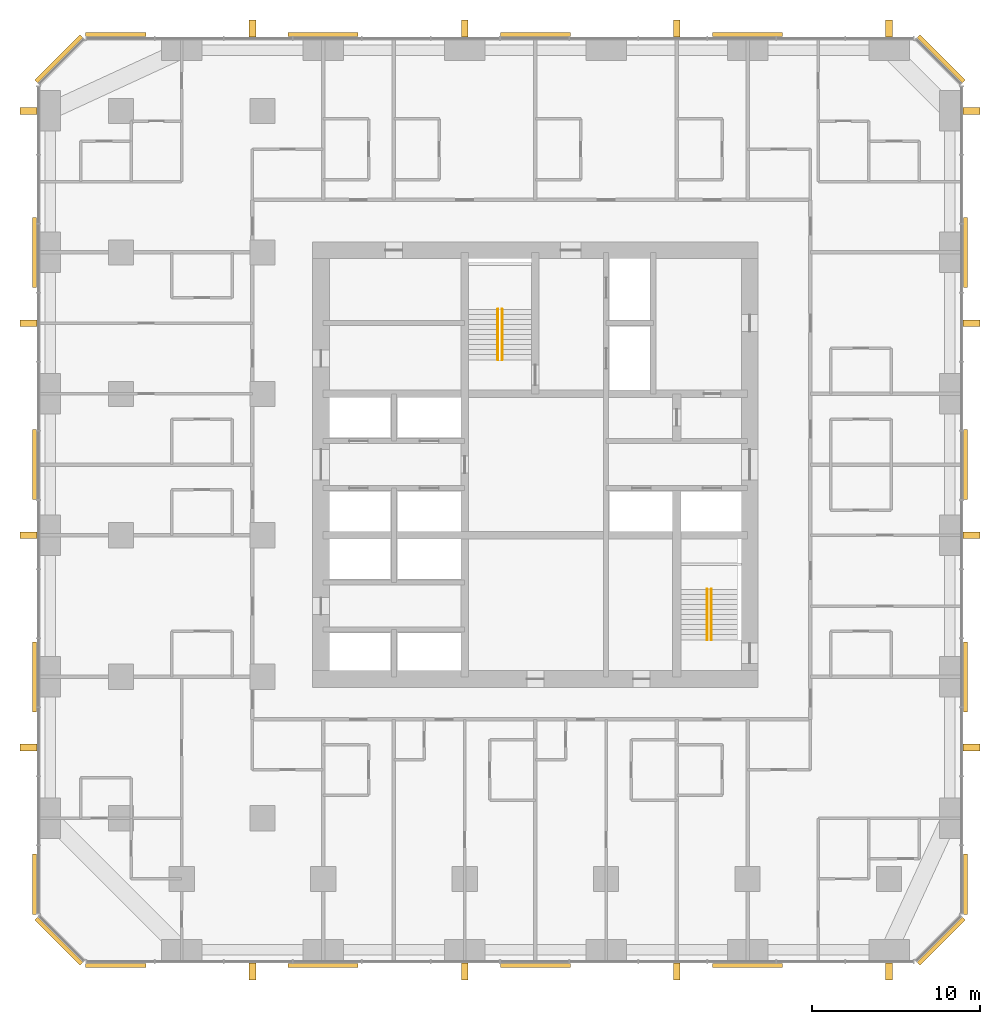
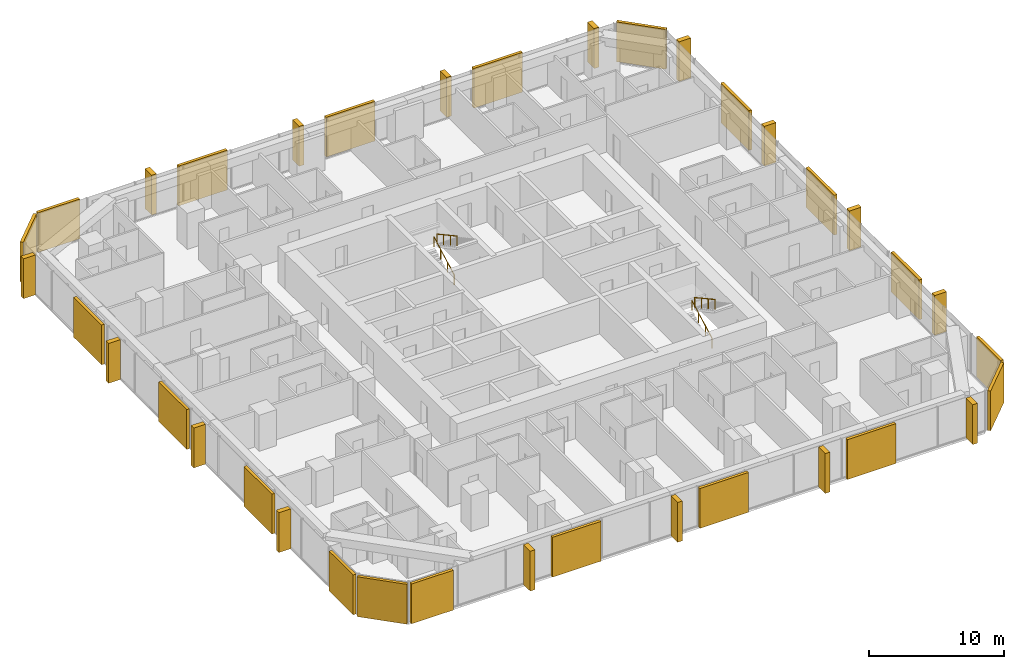
# One storey, part 14 of 14: 20 coverings, 16 shading devices, 4 railings.
"""IFC4 building model written with IfcOpenShell, lengths in metres."""

from ifc_helpers import new_model, si_unit, direction, frame, origin, origin_2d, place, context, subcontext, project, spatial, rectangle, circle, extrude, material, layer, layer_set, type_object, element, save


model = new_model("IFC4")

# Units and contexts
model_context = context("Model", 3, precision=1e-05, world=origin(), true_north=direction((0.0, 1.0)))
body_context = subcontext(model_context, "Body", "Model", "MODEL_VIEW")
ifc_project = project(units=[si_unit("LENGTHUNIT", "METRE"), si_unit("AREAUNIT", "SQUARE_METRE"), si_unit("VOLUMEUNIT", "CUBIC_METRE"), si_unit("PLANEANGLEUNIT", "RADIAN"), si_unit("MASSUNIT", "GRAM", prefix="KILO")], contexts=[model_context])

# Site, building, storey
site_placement = place(None, origin())
site = spatial("IfcSite", under=ifc_project, at=site_placement, CompositionType="ELEMENT")
building_placement = place(site_placement, origin())
building = spatial("IfcBuilding", under=site, at=building_placement, Name="Dunama Terrace Hotel", CompositionType="ELEMENT")
storey_placement = place(building_placement, frame((0.0, 0.0, 140.39990234375)))
storey = spatial("IfcBuildingStorey", under=building, at=storey_placement, Name="L36", CompositionType="ELEMENT", Elevation=140.39990234375)

# Railings
ifc_material_1 = material(Name="Stainless steel handrail", Category="steel")
railing_type = type_object("IfcRailingType", Name="Stair handrail 900", PredefinedType="HANDRAIL", material=ifc_material_1)
railing_1_placement = place(storey_placement, frame((27.175048828125, 35.625, 0.163818359375)))
element("IfcRailing", 1, at=railing_1_placement, inside=storey, type_object=railing_type, Name="Handrail ST1 L36", PredefinedType="HANDRAIL", context=body_context, shape_type="SweptSolid", body=[
    extrude(circle(Radius=0.02392578125, at=origin_2d()), frame((0.0, 0.0, 0.8759765625), z_axis=(0.0, 0.877911954615, 0.47882209634), x_axis=(-1.0, 0.0, 0.0)), (0.0, 0.0, 1.0), 3.417236328125),
    extrude(circle(Radius=0.02099609375, at=origin_2d()), origin(), (0.0, 0.0, 1.0), 0.851806640625),
    extrude(circle(Radius=0.02099609375, at=origin_2d()), frame((0.0, 1.0, 0.54541015625)), (0.0, 0.0, 1.0), 0.851806640625),
    extrude(circle(Radius=0.02099609375, at=origin_2d()), frame((0.0, 2.0, 1.0908203125)), (0.0, 0.0, 1.0), 0.851806640625),
    extrude(circle(Radius=0.02099609375, at=origin_2d()), frame((0.0, 3.0, 1.63623046875)), (0.0, 0.0, 1.0), 0.851806640625),
])
railing_2_placement = place(storey_placement, frame((27.425048828125, 38.625, 1.963623046875)))
element("IfcRailing", 2, at=railing_2_placement, inside=storey, type_object=railing_type, Name="Handrail ST1 L36", PredefinedType="HANDRAIL", context=body_context, shape_type="SweptSolid", body=[
    extrude(circle(Radius=0.02392578125, at=origin_2d()), frame((0.0, 0.0, 0.8759765625), z_axis=(0.0, -0.877881921179, 0.478877158013), x_axis=(1.0, 0.0, 0.0)), (0.0, 0.0, 1.0), 3.417236328125),
    extrude(circle(Radius=0.02099609375, at=origin_2d()), origin(), (0.0, 0.0, 1.0), 0.851806640625),
    extrude(circle(Radius=0.02099609375, at=origin_2d()), frame((0.0, -1.0, 0.54541015625)), (0.0, 0.0, 1.0), 0.851806640625),
    extrude(circle(Radius=0.02099609375, at=origin_2d()), frame((0.0, -2.0, 1.091064453125)), (0.0, 0.0, 1.0), 0.851806640625),
    extrude(circle(Radius=0.02099609375, at=origin_2d()), frame((0.0, -3.0, 1.636474609375)), (0.0, 0.0, 1.0), 0.851806640625),
])
railing_3_placement = place(storey_placement, frame((39.60009765625, 19.0, 0.163818359375)))
element("IfcRailing", 3, at=railing_3_placement, inside=storey, type_object=railing_type, Name="Handrail ST2 L36", PredefinedType="HANDRAIL", context=body_context, shape_type="SweptSolid", body=[
    extrude(circle(Radius=0.02392578125, at=origin_2d()), frame((0.0, 0.0, 0.8759765625), z_axis=(0.0, 0.877911954615, 0.47882209634), x_axis=(-1.0, 0.0, 0.0)), (0.0, 0.0, 1.0), 3.417236328125),
    extrude(circle(Radius=0.02099609375, at=origin_2d()), origin(), (0.0, 0.0, 1.0), 0.851806640625),
    extrude(circle(Radius=0.02099609375, at=origin_2d()), frame((0.0, 1.0, 0.54541015625)), (0.0, 0.0, 1.0), 0.851806640625),
    extrude(circle(Radius=0.02099609375, at=origin_2d()), frame((0.0, 2.0, 1.0908203125)), (0.0, 0.0, 1.0), 0.851806640625),
    extrude(circle(Radius=0.02099609375, at=origin_2d()), frame((0.0, 3.0, 1.63623046875)), (0.0, 0.0, 1.0), 0.851806640625),
])
railing_4_placement = place(storey_placement, frame((39.85009765625, 22.0, 1.963623046875)))
element("IfcRailing", 4, at=railing_4_placement, inside=storey, type_object=railing_type, Name="Handrail ST2 L36", PredefinedType="HANDRAIL", context=body_context, shape_type="SweptSolid", body=[
    extrude(circle(Radius=0.02392578125, at=origin_2d()), frame((0.0, 0.0, 0.8759765625), z_axis=(0.0, -0.877881921179, 0.478877158013), x_axis=(1.0, 0.0, 0.0)), (0.0, 0.0, 1.0), 3.417236328125),
    extrude(circle(Radius=0.02099609375, at=origin_2d()), origin(), (0.0, 0.0, 1.0), 0.851806640625),
    extrude(circle(Radius=0.02099609375, at=origin_2d()), frame((0.0, -1.0, 0.54541015625)), (0.0, 0.0, 1.0), 0.851806640625),
    extrude(circle(Radius=0.02099609375, at=origin_2d()), frame((0.0, -2.0, 1.091064453125)), (0.0, 0.0, 1.0), 0.851806640625),
    extrude(circle(Radius=0.02099609375, at=origin_2d()), frame((0.0, -3.0, 1.636474609375)), (0.0, 0.0, 1.0), 0.851806640625),
])

# Coverings
ifc_material_2 = material(Name="Warm reconstituted stone panel", Category="masonry")
ifc_layer_1 = layer(ifc_material_2, 0.25)
ifc_layer_set_1 = layer_set([ifc_layer_1], Name="Stone diagonal panel")
covering_type = type_object("IfcCoveringType", Name="Stone diagonal panel", PredefinedType="CLADDING", material=ifc_layer_set_1)
covering_1_placement = place(storey_placement, frame((4.489990234375, -0.343017578125, 0.001953125), z_axis=(0.0, 0.0, 1.0), x_axis=(1.0, 0.0, 0.0)))
element("IfcCovering", 5, at=covering_1_placement, inside=storey, type_object=covering_type, Name="Stone diagonal panel L36", PredefinedType="CLADDING", context=body_context, shape_type="SweptSolid", body=[
    extrude(rectangle(XDim=3.570068359375, YDim=0.25, at=origin_2d()), origin(), (0.0, 0.0, 1.0), 3.595947265625),
])
for number, where, z_axis, x_axis, name in (
    (6, (16.800048828125, -0.343017578125, 0.001953125), (0.0, 0.0, 1.0), (1.0, 0.0, 0.0), "Stone diagonal panel L36"),
    (7, (29.39990234375, -0.343017578125, 0.001953125), (0.0, 0.0, 1.0), (1.0, 0.0, 0.0), "Stone diagonal panel L36"),
    (8, (42.0, -0.343017578125, 0.001953125), (0.0, 0.0, 1.0), (1.0, 0.0, 0.0), "Stone diagonal panel L36"),
):
    element("IfcCovering", number, at=place(storey_placement, frame(where, z_axis=z_axis, x_axis=x_axis)), inside=storey, type_object=covering_type, Name=name, PredefinedType="CLADDING", context=body_context, shape_type="SweptSolid", body=[
        extrude(rectangle(XDim=4.14990234375, YDim=0.25, at=origin_2d()), origin(), (0.0, 0.0, 1.0), 3.595947265625),
    ])
covering_2_placement = place(storey_placement, frame((53.492919921875, 1.10693359375, 0.001953125), z_axis=(0.0, 0.0, 1.0), x_axis=(0.707106781187, 0.707106781187, 0.0)))
element("IfcCovering", 9, at=covering_2_placement, inside=storey, type_object=covering_type, Name="Stone diagonal panel L36", PredefinedType="CLADDING", context=body_context, shape_type="SweptSolid", body=[
    extrude(rectangle(XDim=3.808349609375, YDim=0.25, at=origin_2d()), origin(), (0.0, 0.0, 1.0), 3.595947265625),
])
covering_3_placement = place(storey_placement, frame((54.943115234375, 4.489990234375, 0.001953125), z_axis=(0.0, 0.0, 1.0), x_axis=(0.0, 1.0, 0.0)))
element("IfcCovering", 10, at=covering_3_placement, inside=storey, type_object=covering_type, Name="Stone diagonal panel L36", PredefinedType="CLADDING", context=body_context, shape_type="SweptSolid", body=[
    extrude(rectangle(XDim=3.570068359375, YDim=0.25, at=origin_2d()), origin(), (0.0, 0.0, 1.0), 3.595947265625),
])
for number, where, z_axis, x_axis, name in (
    (11, (54.943115234375, 16.800048828125, 0.001953125), (0.0, 0.0, 1.0), (0.0, 1.0, 0.0), "Stone diagonal panel L36"),
    (12, (54.943115234375, 29.39990234375, 0.001953125), (0.0, 0.0, 1.0), (0.0, 1.0, 0.0), "Stone diagonal panel L36"),
    (13, (54.943115234375, 42.0, 0.001953125), (0.0, 0.0, 1.0), (0.0, 1.0, 0.0), "Stone diagonal panel L36"),
):
    element("IfcCovering", number, at=place(storey_placement, frame(where, z_axis=z_axis, x_axis=x_axis)), inside=storey, type_object=covering_type, Name=name, PredefinedType="CLADDING", context=body_context, shape_type="SweptSolid", body=[
        extrude(rectangle(XDim=4.14990234375, YDim=0.25, at=origin_2d()), origin(), (0.0, 0.0, 1.0), 3.595947265625),
    ])
covering_4_placement = place(storey_placement, frame((53.492919921875, 53.492919921875, 0.001953125), z_axis=(0.0, 0.0, 1.0), x_axis=(-0.707106781187, 0.707106781187, 0.0)))
element("IfcCovering", 14, at=covering_4_placement, inside=storey, type_object=covering_type, Name="Stone diagonal panel L36", PredefinedType="CLADDING", context=body_context, shape_type="SweptSolid", body=[
    extrude(rectangle(XDim=3.808349609375, YDim=0.25, at=origin_2d()), origin(), (0.0, 0.0, 1.0), 3.595947265625),
])
for number, where, z_axis, x_axis, name in (
    (15, (42.0, 54.943115234375, 0.001953125), (0.0, 0.0, 1.0), (-1.0, 0.0, 0.0), "Stone diagonal panel L36"),
    (16, (29.39990234375, 54.943115234375, 0.001953125), (0.0, 0.0, 1.0), (-1.0, 0.0, 0.0), "Stone diagonal panel L36"),
    (17, (16.800048828125, 54.943115234375, 0.001953125), (0.0, 0.0, 1.0), (-1.0, 0.0, 0.0), "Stone diagonal panel L36"),
):
    element("IfcCovering", number, at=place(storey_placement, frame(where, z_axis=z_axis, x_axis=x_axis)), inside=storey, type_object=covering_type, Name=name, PredefinedType="CLADDING", context=body_context, shape_type="SweptSolid", body=[
        extrude(rectangle(XDim=4.14990234375, YDim=0.25, at=origin_2d()), origin(), (0.0, 0.0, 1.0), 3.595947265625),
    ])
covering_5_placement = place(storey_placement, frame((4.489990234375, 54.943115234375, 0.001953125), z_axis=(0.0, 0.0, 1.0), x_axis=(-1.0, 0.0, 0.0)))
element("IfcCovering", 18, at=covering_5_placement, inside=storey, type_object=covering_type, Name="Stone diagonal panel L36", PredefinedType="CLADDING", context=body_context, shape_type="SweptSolid", body=[
    extrude(rectangle(XDim=3.570068359375, YDim=0.25, at=origin_2d()), origin(), (0.0, 0.0, 1.0), 3.595947265625),
])
covering_6_placement = place(storey_placement, frame((1.10693359375, 53.492919921875, 0.001953125), z_axis=(0.0, 0.0, 1.0), x_axis=(-0.707106781187, -0.707106781187, 0.0)))
element("IfcCovering", 19, at=covering_6_placement, inside=storey, type_object=covering_type, Name="Stone diagonal panel L36", PredefinedType="CLADDING", context=body_context, shape_type="SweptSolid", body=[
    extrude(rectangle(XDim=3.808349609375, YDim=0.25, at=origin_2d()), origin(), (0.0, 0.0, 1.0), 3.595947265625),
])
for number, where, z_axis, x_axis, name in (
    (20, (-0.343017578125, 42.0, 0.001953125), (0.0, 0.0, 1.0), (0.0, -1.0, 0.0), "Stone diagonal panel L36"),
    (21, (-0.343017578125, 29.39990234375, 0.001953125), (0.0, 0.0, 1.0), (0.0, -1.0, 0.0), "Stone diagonal panel L36"),
    (22, (-0.343017578125, 16.800048828125, 0.001953125), (0.0, 0.0, 1.0), (0.0, -1.0, 0.0), "Stone diagonal panel L36"),
):
    element("IfcCovering", number, at=place(storey_placement, frame(where, z_axis=z_axis, x_axis=x_axis)), inside=storey, type_object=covering_type, Name=name, PredefinedType="CLADDING", context=body_context, shape_type="SweptSolid", body=[
        extrude(rectangle(XDim=4.14990234375, YDim=0.25, at=origin_2d()), origin(), (0.0, 0.0, 1.0), 3.595947265625),
    ])
covering_7_placement = place(storey_placement, frame((-0.343017578125, 4.489990234375, 0.001953125), z_axis=(0.0, 0.0, 1.0), x_axis=(0.0, -1.0, 0.0)))
element("IfcCovering", 23, at=covering_7_placement, inside=storey, type_object=covering_type, Name="Stone diagonal panel L36", PredefinedType="CLADDING", context=body_context, shape_type="SweptSolid", body=[
    extrude(rectangle(XDim=3.570068359375, YDim=0.25, at=origin_2d()), origin(), (0.0, 0.0, 1.0), 3.595947265625),
])
covering_8_placement = place(storey_placement, frame((1.10693359375, 1.10693359375, 0.001953125), z_axis=(0.0, 0.0, 1.0), x_axis=(0.707106781187, -0.707106781187, 0.0)))
element("IfcCovering", 24, at=covering_8_placement, inside=storey, type_object=covering_type, Name="Stone diagonal panel L36", PredefinedType="CLADDING", context=body_context, shape_type="SweptSolid", body=[
    extrude(rectangle(XDim=3.808349609375, YDim=0.25, at=origin_2d()), origin(), (0.0, 0.0, 1.0), 3.595947265625),
])

# Shading devices
ifc_material_3 = material(Name="Warm reconstituted stone fin", Category="masonry")
ifc_layer_2 = layer(ifc_material_3, 0.39990234375)
ifc_layer_set_2 = layer_set([ifc_layer_2], Name="Warm stone fin 400x1000")
shading_device_type = type_object("IfcShadingDeviceType", Name="Warm stone fin 400x1000", PredefinedType="USERDEFINED", material=ifc_layer_set_2)
for number, where, z_axis, x_axis, name in (
    (25, (12.60009765625, -0.697998046875, 0.0), (0.0, 0.0, 1.0), (1.0, 0.0, 0.0), "Stone fin"),
    (26, (25.199951171875, -0.697998046875, 0.0), (0.0, 0.0, 1.0), (1.0, 0.0, 0.0), "Stone fin"),
    (27, (37.800048828125, -0.697998046875, 0.0), (0.0, 0.0, 1.0), (1.0, 0.0, 0.0), "Stone fin"),
    (28, (50.39990234375, -0.697998046875, 0.0), (0.0, 0.0, 1.0), (1.0, 0.0, 0.0), "Stone fin"),
    (29, (55.298095703125, 12.60009765625, 0.0), (0.0, 0.0, 1.0), (0.0, 1.0, 0.0), "Stone fin"),
    (30, (55.298095703125, 25.199951171875, 0.0), (0.0, 0.0, 1.0), (0.0, 1.0, 0.0), "Stone fin"),
    (31, (55.298095703125, 37.800048828125, 0.0), (0.0, 0.0, 1.0), (0.0, 1.0, 0.0), "Stone fin"),
    (32, (55.298095703125, 50.39990234375, 0.0), (0.0, 0.0, 1.0), (0.0, 1.0, 0.0), "Stone fin"),
    (33, (50.39990234375, 55.298095703125, 0.0), (0.0, 0.0, 1.0), (-1.0, 0.0, 0.0), "Stone fin"),
    (34, (37.800048828125, 55.298095703125, 0.0), (0.0, 0.0, 1.0), (-1.0, 0.0, 0.0), "Stone fin"),
    (35, (25.199951171875, 55.298095703125, 0.0), (0.0, 0.0, 1.0), (-1.0, 0.0, 0.0), "Stone fin"),
    (36, (12.60009765625, 55.298095703125, 0.0), (0.0, 0.0, 1.0), (-1.0, 0.0, 0.0), "Stone fin"),
    (37, (-0.697998046875, 50.39990234375, 0.0), (0.0, 0.0, 1.0), (0.0, -1.0, 0.0), "Stone fin"),
    (38, (-0.697998046875, 37.800048828125, 0.0), (0.0, 0.0, 1.0), (0.0, -1.0, 0.0), "Stone fin"),
    (39, (-0.697998046875, 25.199951171875, 0.0), (0.0, 0.0, 1.0), (0.0, -1.0, 0.0), "Stone fin"),
    (40, (-0.697998046875, 12.60009765625, 0.0), (0.0, 0.0, 1.0), (0.0, -1.0, 0.0), "Stone fin"),
):
    element("IfcShadingDevice", number, at=place(storey_placement, frame(where, z_axis=z_axis, x_axis=x_axis)), inside=storey, type_object=shading_device_type, Name=name, ObjectType="FIN", PredefinedType="USERDEFINED", context=body_context, shape_type="SweptSolid", body=[
        extrude(rectangle(XDim=0.39990234375, YDim=1.0, at=origin_2d()), origin(), (0.0, 0.0, 1.0), 3.60009765625),
    ])

save(model, "model.ifc")
